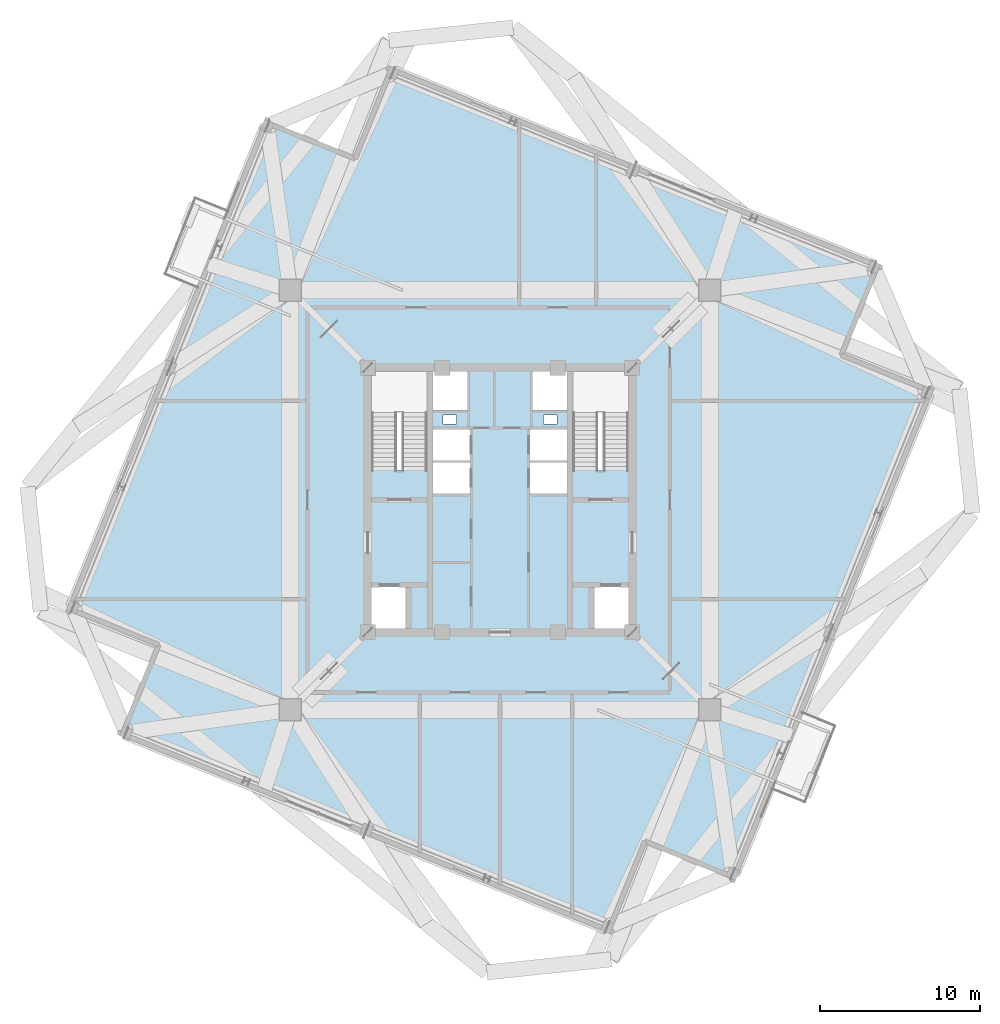
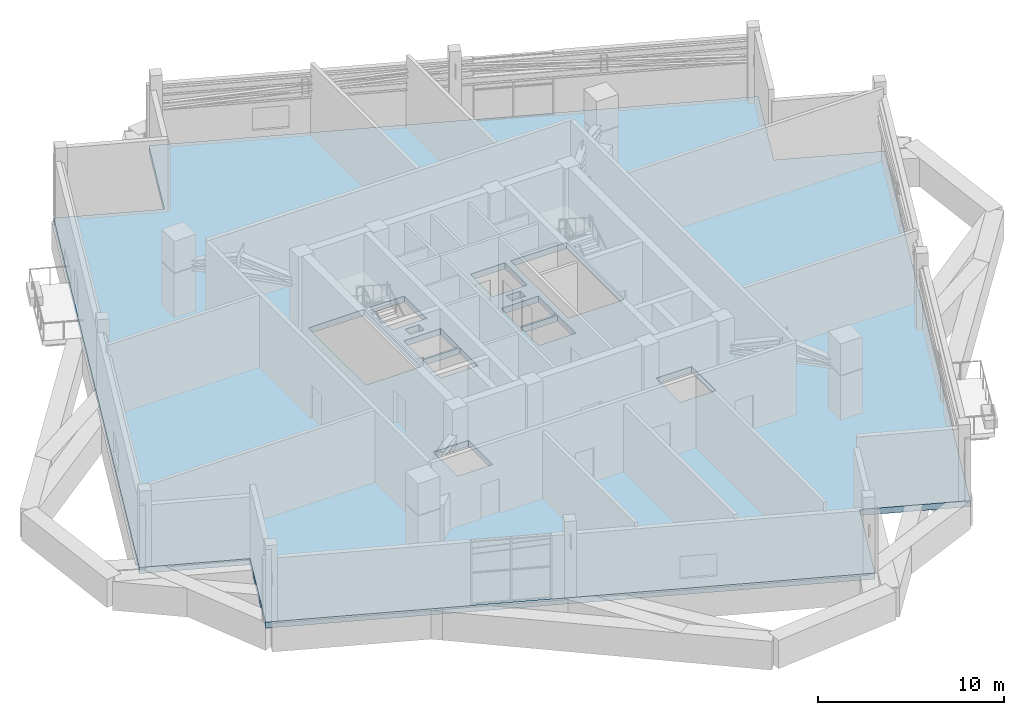
# One storey, part 12 of 20: 1 slab.
"""IFC4 building model written with IfcOpenShell, lengths in metres."""

from ifc_helpers import new_model, si_unit, direction, frame, origin, place, context, subcontext, project, spatial, polyline, outline, extrude, material, layer, layer_set, type_object, element, save


model = new_model("IFC4")

# Units and contexts
model_context = context("Model", 3, precision=1e-05, world=origin(), true_north=direction((0.0, 1.0)))
body_context = subcontext(model_context, "Body", "Model", "MODEL_VIEW")
ifc_project = project(units=[si_unit("LENGTHUNIT", "METRE"), si_unit("AREAUNIT", "SQUARE_METRE"), si_unit("VOLUMEUNIT", "CUBIC_METRE"), si_unit("PLANEANGLEUNIT", "RADIAN"), si_unit("MASSUNIT", "GRAM", prefix="KILO"), si_unit("THERMODYNAMICTEMPERATUREUNIT", "KELVIN")], contexts=[model_context])

# Site, building, storey
site_placement = place(None, origin())
site = spatial("IfcSite", under=ifc_project, at=site_placement, CompositionType="ELEMENT")
building_placement = place(site_placement, origin())
building = spatial("IfcBuilding", under=site, at=building_placement, Name="Kosmvard Interchange Tower", CompositionType="ELEMENT")
storey_placement = place(building_placement, frame((0.0, 0.0, 260.199951171875)))
storey = spatial("IfcBuildingStorey", under=building, at=storey_placement, Name="L63", CompositionType="ELEMENT", Elevation=260.199951171875)

# Slab
ifc_material = material(Name="Concrete C60/75", Category="concrete")
ifc_layer = layer(ifc_material, 0.39990234375, Name="Concrete C60/75")
ifc_layer_set = layer_set([ifc_layer], Name="Concrete C60/75")
slab_type = type_object("IfcSlabType", Name="Concourse & Transfer Structural Slab 400 C60/75", PredefinedType="FLOOR", material=ifc_layer_set)
slab_placement = place(storey_placement, frame((0.0, 0.0, -0.39990234375)))
element("IfcSlab", 1, at=slab_placement, inside=storey, type_object=slab_type, Name="L63 Structural Floor Slab", PredefinedType="FLOOR", context=body_context, shape_type="SweptSolid", body=[
    extrude(outline(polyline([(14.6806640625, -23.727294921875), (27.042724609375, 6.869873046875), (21.4794921875, 9.117431640625), (23.727294921875, 14.6806640625), (-6.869873046875, 27.042724609375), (-9.117431640625, 21.4794921875), (-14.6806640625, 23.727294921875), (-27.042724609375, -6.869873046875), (-21.4794921875, -9.117431640625), (-23.727294921875, -14.6806640625), (6.869873046875, -27.042724609375), (9.117431640625, -21.4794921875), (14.6806640625, -23.727294921875)]), holes=[polyline([(-8.0, 1.8349609375), (-4.5400390625, 1.8349609375), (-4.5400390625, 8.0), (-8.0, 8.0), (-8.0, 1.8349609375)]), polyline([(4.5400390625, 1.8349609375), (8.0, 1.8349609375), (8.0, 8.0), (4.5400390625, 8.0), (4.5400390625, 1.8349609375)]), polyline([(-8.0, -8.0), (-5.800048828125, -8.0), (-5.800048828125, -5.39990234375), (-8.0, -5.39990234375), (-8.0, -8.0)]), polyline([(5.800048828125, -8.0), (8.0, -8.0), (8.0, -5.39990234375), (5.800048828125, -5.39990234375), (5.800048828125, -8.0)]), polyline([(-4.179931640625, 0.39990234375), (-1.8798828125, 0.39990234375), (-1.8798828125, 2.340087890625), (-4.179931640625, 2.340087890625), (-4.179931640625, 0.39990234375)]), polyline([(-4.179931640625, 2.4599609375), (-1.8798828125, 2.4599609375), (-1.8798828125, 4.39990234375), (-4.179931640625, 4.39990234375), (-4.179931640625, 2.4599609375)]), polyline([(1.8798828125, 0.39990234375), (4.179931640625, 0.39990234375), (4.179931640625, 2.340087890625), (1.8798828125, 2.340087890625), (1.8798828125, 0.39990234375)]), polyline([(1.8798828125, 2.4599609375), (4.179931640625, 2.4599609375), (4.179931640625, 4.39990234375), (1.8798828125, 4.39990234375), (1.8798828125, 2.4599609375)]), polyline([(-4.179931640625, 5.60009765625), (-2.0400390625, 5.60009765625), (-2.0400390625, 8.0), (-4.179931640625, 8.0), (-4.179931640625, 5.60009765625)]), polyline([(2.0400390625, 5.60009765625), (4.179931640625, 5.60009765625), (4.179931640625, 8.0), (2.0400390625, 8.0), (2.0400390625, 5.60009765625)]), polyline([(-3.56494140625, 4.739990234375), (-2.715087890625, 4.739990234375), (-2.715087890625, 5.2900390625), (-3.56494140625, 5.2900390625), (-3.56494140625, 4.739990234375)]), polyline([(2.715087890625, 4.739990234375), (3.56494140625, 4.739990234375), (3.56494140625, 5.2900390625), (2.715087890625, 5.2900390625), (2.715087890625, 4.739990234375)])]), origin(), (0.0, 0.0, 1.0), 0.39990234375),
])

save(model, "model.ifc")
